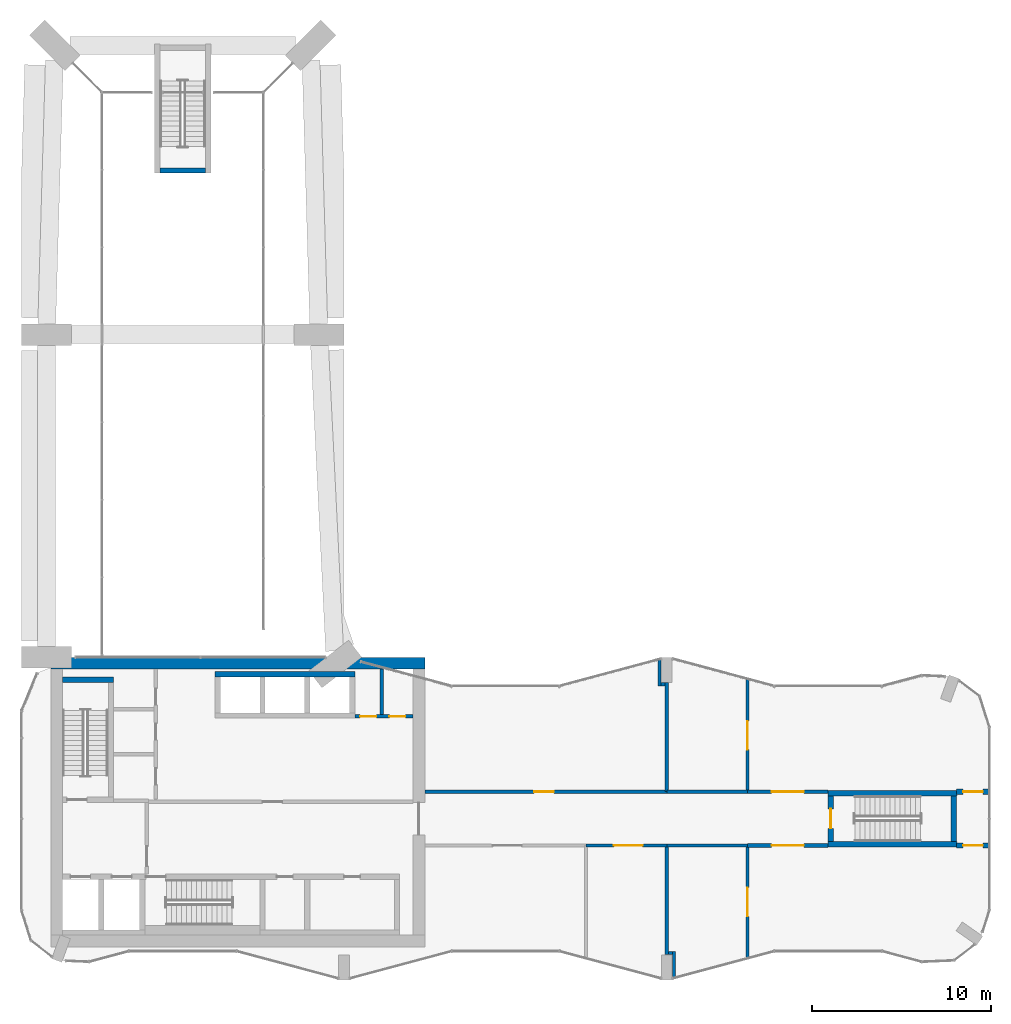
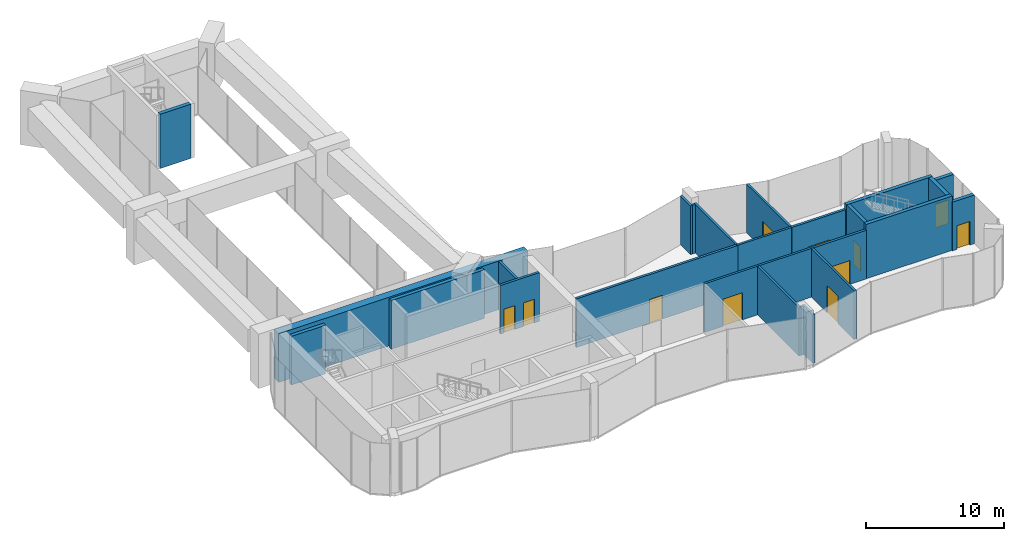
# One storey, part 10 of 13: 26 walls, 11 doors, 11 openings.
"""IFC4 building model written with IfcOpenShell, lengths in metres."""

from ifc_helpers import new_model, si_unit, direction, frame, frame_2d, origin, place, context, subcontext, project, spatial, rectangle, extrude, material, layer, layer_set, type_object, element, fill, save


model = new_model("IFC4")

# Units and contexts
model_context = context("Model", 3, precision=1e-05, world=origin(), true_north=direction((0.0, 1.0)))
body_context = subcontext(model_context, "Body", "Model", "MODEL_VIEW")
ifc_project = project(units=[si_unit("LENGTHUNIT", "METRE"), si_unit("AREAUNIT", "SQUARE_METRE"), si_unit("VOLUMEUNIT", "CUBIC_METRE"), si_unit("PLANEANGLEUNIT", "RADIAN"), si_unit("MASSUNIT", "GRAM", prefix="KILO")], contexts=[model_context])

# Site, building, storey
site_placement = place(None, origin())
site = spatial("IfcSite", under=ifc_project, at=site_placement, CompositionType="ELEMENT")
building_placement = place(site_placement, origin())
building = spatial("IfcBuilding", under=site, at=building_placement, Name="Plateau Cross Towers", CompositionType="ELEMENT")
storey_placement = place(building_placement, frame((0.0, 0.0, 134.60009765625)))
storey = spatial("IfcBuildingStorey", under=building, at=storey_placement, Name="L34", CompositionType="ELEMENT", Elevation=134.60009765625)

# Wall, opening, door
ifc_material_1 = material(Name="Concrete C60/75", Category="concrete")
ifc_layer_1 = layer(ifc_material_1, 0.300048828125)
ifc_layer_set_1 = layer_set([ifc_layer_1], Name="Concrete C60/75")
wall_type_1 = type_object("IfcWallType", Name="Bridge stub wall 300", PredefinedType="SHEAR", material=ifc_layer_set_1)
wall_1_placement = place(storey_placement, frame((52.14990234375, 7.5, 0.0), z_axis=(0.0, 0.0, 1.0), x_axis=(1.0, 0.0, 0.0)))
wall_1 = element("IfcWall", 1, at=wall_1_placement, inside=storey, type_object=wall_type_1, Name="A-end-E-bridge-S@L34", PredefinedType="SHEAR", context=body_context, shape_type="SweptSolid", body=[
    extrude(rectangle(XDim=1.85009765625, YDim=0.300048828125, at=frame_2d((0.925048828125, 0.0))), origin(), (0.0, 0.0, 1.0), 4.2998046875),
])
opening_1_placement = place(wall_1_placement, frame((0.375, 0.0, 0.0)))
opening_1 = element("IfcOpeningElement", 2, at=opening_1_placement, cuts=wall_1, Name="Opening 34-F1", PredefinedType="OPENING", context=body_context, shape_type="SweptSolid", body=[
    extrude(rectangle(XDim=1.10009765625, YDim=2.10009765625, at=frame_2d((0.550048828125, 1.050048828125))), frame((0.0, 0.159912109375, 0.0), z_axis=(0.0, -1.0, 0.0), x_axis=(1.0, 0.0, 0.0)), (0.0, 0.0, 1.0), 0.320068359375),
])
ifc_material_2 = material(Name="Steel, fire-resisting leaf", Category="steel")
door_type_1 = type_object("IfcDoorType", Name="Link lounge fire door 1100", OperationType="NOTDEFINED", PredefinedType="DOOR", material=ifc_material_2)
door_1_placement = place(opening_1_placement, origin())
door_1 = element("IfcDoor", 3, at=door_1_placement, inside=storey, type_object=door_type_1, Name="Door 34-F1", OperationType="SINGLE_SWING_LEFT", OverallHeight=2.10009765625, OverallWidth=1.10009765625, PredefinedType="DOOR", context=body_context, shape_type="SweptSolid", body=[
    extrude(rectangle(XDim=1.10009765625, YDim=2.10009765625, at=frame_2d((0.550048828125, 1.050048828125))), frame((0.0, 0.02490234375, 0.0), z_axis=(0.0, -1.0, 0.0), x_axis=(1.0, 0.0, 0.0)), (0.0, 0.0, 1.0), 0.050048828125),
])
fill(opening_1, door_1)

wall_2_placement = place(storey_placement, frame((52.14990234375, 10.5, 0.0), z_axis=(0.0, 0.0, 1.0), x_axis=(1.0, 0.0, 0.0)))
wall_2 = element("IfcWall", 4, at=wall_2_placement, inside=storey, type_object=wall_type_1, Name="A-end-E-bridge-N@L34", PredefinedType="SHEAR", context=body_context, shape_type="SweptSolid", body=[
    extrude(rectangle(XDim=1.85009765625, YDim=0.300048828125, at=frame_2d((0.925048828125, 0.0))), origin(), (0.0, 0.0, 1.0), 4.2998046875),
])
opening_2_placement = place(wall_2_placement, frame((0.375, 0.0, 0.0)))
opening_2 = element("IfcOpeningElement", 5, at=opening_2_placement, cuts=wall_2, Name="Opening 34-F2", PredefinedType="OPENING", context=body_context, shape_type="SweptSolid", body=[
    extrude(rectangle(XDim=1.10009765625, YDim=2.10009765625, at=frame_2d((0.550048828125, 1.050048828125))), frame((0.0, 0.159912109375, 0.0), z_axis=(0.0, -1.0, 0.0), x_axis=(1.0, 0.0, 0.0)), (0.0, 0.0, 1.0), 0.320068359375),
])
door_2_placement = place(opening_2_placement, origin())
door_2 = element("IfcDoor", 6, at=door_2_placement, inside=storey, type_object=door_type_1, Name="Door 34-F2", OperationType="SINGLE_SWING_LEFT", OverallHeight=2.10009765625, OverallWidth=1.10009765625, PredefinedType="DOOR", context=body_context, shape_type="SweptSolid", body=[
    extrude(rectangle(XDim=1.10009765625, YDim=2.10009765625, at=frame_2d((0.550048828125, 1.050048828125))), frame((0.0, 0.02490234375, 0.0), z_axis=(0.0, -1.0, 0.0), x_axis=(1.0, 0.0, 0.0)), (0.0, 0.0, 1.0), 0.050048828125),
])
fill(opening_2, door_2)

# Wall, openings, doors
ifc_material_3 = material(Name="Concrete block, plastered both sides", Category="concrete")
ifc_layer_2 = layer(ifc_material_3, 0.199951171875)
ifc_layer_set_2 = layer_set([ifc_layer_2], Name="Concrete block, plastered both sides")
wall_type_2 = type_object("IfcWallType", Name="Core partition 200", PredefinedType="PARTITIONING", material=ifc_layer_set_2)
wall_3_placement = place(storey_placement, frame((18.60009765625, 14.699951171875, 0.0), z_axis=(0.0, 0.0, 1.0), x_axis=(1.0, 0.0, 0.0)))
wall_3 = element("IfcWall", 7, at=wall_3_placement, inside=storey, type_object=wall_type_2, Name="Core partition", PredefinedType="PARTITIONING", context=body_context, shape_type="SweptSolid", body=[
    extrude(rectangle(XDim=3.25, YDim=0.199951171875, at=frame_2d((1.625, 0.0))), origin(), (0.0, 0.0, 1.0), 4.2998046875),
])
opening_3_placement = place(wall_3_placement, frame((0.300048828125, 0.0, 0.0)))
opening_3 = element("IfcOpeningElement", 8, at=opening_3_placement, cuts=wall_3, Name="Opening RD2", PredefinedType="OPENING", context=body_context, shape_type="SweptSolid", body=[
    extrude(rectangle(XDim=0.89990234375, YDim=2.10009765625, at=frame_2d((0.449951171875, 1.050048828125))), frame((0.0, 0.10986328125, 0.0), z_axis=(0.0, -1.0, 0.0), x_axis=(1.0, 0.0, 0.0)), (0.0, 0.0, 1.0), 0.219970703125),
])
opening_4_placement = place(wall_3_placement, frame((1.925048828125, 0.0, 0.0)))
opening_4 = element("IfcOpeningElement", 9, at=opening_4_placement, cuts=wall_3, Name="Opening RD2", PredefinedType="OPENING", context=body_context, shape_type="SweptSolid", body=[
    extrude(rectangle(XDim=0.89990234375, YDim=2.10009765625, at=frame_2d((0.449951171875, 1.050048828125))), frame((0.0, 0.10986328125, 0.0), z_axis=(0.0, -1.0, 0.0), x_axis=(1.0, 0.0, 0.0)), (0.0, 0.0, 1.0), 0.219970703125),
])
door_type_2 = type_object("IfcDoorType", Name="Core riser door 900", OperationType="NOTDEFINED", PredefinedType="DOOR", material=ifc_material_2)
door_3_placement = place(opening_3_placement, origin())
door_3 = element("IfcDoor", 10, at=door_3_placement, inside=storey, type_object=door_type_2, Name="Core riser door RD2", OperationType="SINGLE_SWING_LEFT", OverallHeight=2.10009765625, OverallWidth=0.89990234375, PredefinedType="DOOR", context=body_context, shape_type="SweptSolid", body=[
    extrude(rectangle(XDim=0.89990234375, YDim=2.10009765625, at=frame_2d((0.449951171875, 1.050048828125))), frame((0.0, 0.02490234375, 0.0), z_axis=(0.0, -1.0, 0.0), x_axis=(1.0, 0.0, 0.0)), (0.0, 0.0, 1.0), 0.050048828125),
])
fill(opening_3, door_3)
door_4_placement = place(opening_4_placement, origin())
door_4 = element("IfcDoor", 11, at=door_4_placement, inside=storey, type_object=door_type_2, Name="Core riser door RD2", OperationType="SINGLE_SWING_LEFT", OverallHeight=2.10009765625, OverallWidth=0.89990234375, PredefinedType="DOOR", context=body_context, shape_type="SweptSolid", body=[
    extrude(rectangle(XDim=0.89990234375, YDim=2.10009765625, at=frame_2d((0.449951171875, 1.050048828125))), frame((0.0, 0.02490234375, 0.0), z_axis=(0.0, -1.0, 0.0), x_axis=(1.0, 0.0, 0.0)), (0.0, 0.0, 1.0), 0.050048828125),
])
fill(opening_4, door_4)

# Walls
wall_4_placement = place(storey_placement, frame((20.10009765625, 14.800048828125, 0.0), z_axis=(0.0, 0.0, 1.0), x_axis=(0.0, 1.0, 0.0)))
element("IfcWall", 12, at=wall_4_placement, inside=storey, type_object=wall_type_2, Name="Core partition", PredefinedType="PARTITIONING", context=body_context, shape_type="SweptSolid", body=[
    extrude(rectangle(XDim=2.550048828125, YDim=0.199951171875, at=frame_2d((1.27490234375, 0.0))), origin(), (0.0, 0.0, 1.0), 4.2998046875),
])
ifc_layer_3 = layer(ifc_material_1, 0.300048828125)
ifc_layer_set_3 = layer_set([ifc_layer_3], Name="Concrete C60/75")
wall_type_3 = type_object("IfcWallType", Name="Core shaft wall 300", PredefinedType="SHEAR", material=ifc_layer_set_3)
wall_5_placement = place(storey_placement, frame((2.300048828125, 16.75, 0.0), z_axis=(0.0, 0.0, 1.0), x_axis=(1.0, 0.0, 0.0)))
element("IfcWall", 13, at=wall_5_placement, inside=storey, type_object=wall_type_3, Name="A-st1-N@L34", PredefinedType="SHEAR", context=body_context, shape_type="SweptSolid", body=[
    extrude(rectangle(XDim=2.849853515625, YDim=0.300048828125, at=frame_2d((1.4248046875, 0.0))), origin(), (0.0, 0.0, 1.0), 4.2998046875),
])
wall_6_placement = place(storey_placement, frame((10.800048828125, 17.050048828125, 0.0), z_axis=(0.0, 0.0, 1.0), x_axis=(1.0, 0.0, 0.0)))
element("IfcWall", 14, at=wall_6_placement, inside=storey, type_object=wall_type_3, Name="A-nb-back@L34", PredefinedType="SHEAR", context=body_context, shape_type="SweptSolid", body=[
    extrude(rectangle(XDim=7.800048828125, YDim=0.300048828125, at=frame_2d((3.89990234375, 0.0))), origin(), (0.0, 0.0, 1.0), 4.2998046875),
])
ifc_layer_4 = layer(ifc_material_1, 0.64990234375)
ifc_layer_set_4 = layer_set([ifc_layer_4], Name="Concrete C60/75")
wall_type_4 = type_object("IfcWallType", Name="Core shell wall 650", PredefinedType="SHEAR", material=ifc_layer_set_4)
wall_7_placement = place(storey_placement, frame((1.64990234375, 17.675048828125, 0.0), z_axis=(0.0, 0.0, 1.0), x_axis=(1.0, 0.0, 0.0)))
element("IfcWall", 15, at=wall_7_placement, inside=storey, type_object=wall_type_4, Name="A-core-N@L34", PredefinedType="SHEAR", context=body_context, shape_type="SweptSolid", body=[
    extrude(rectangle(XDim=20.85009765625, YDim=0.64990234375, at=frame_2d((10.425048828125, 0.0))), origin(), (0.0, 0.0, 1.0), 4.2998046875),
])
ifc_material_4 = material(Name="Dense masonry block, plastered, acoustic lining", Category="masonry")
ifc_layer_5 = layer(ifc_material_4, 0.179931640625)
ifc_layer_set_5 = layer_set([ifc_layer_5], Name="Dense masonry block, plastered, acoustic lining")
wall_type_5 = type_object("IfcWallType", Name="Plant room acoustic wall 180", PredefinedType="PARTITIONING", material=ifc_layer_set_5)
wall_8_placement = place(storey_placement, frame((36.0, 7.5, 0.0), z_axis=(0.0, 0.0, 1.0), x_axis=(0.0, -1.0, 0.0)))
element("IfcWall", 16, at=wall_8_placement, inside=storey, type_object=wall_type_5, Name="Partition wall", PredefinedType="PARTITIONING", context=body_context, shape_type="SweptSolid", body=[
    extrude(rectangle(XDim=6.090087890625, YDim=0.179931640625, at=frame_2d((3.044921875, 0.0))), origin(), (0.0, 0.0, 1.0), 4.2998046875),
])
wall_9_placement = place(storey_placement, frame((36.090087890625, 1.5, 0.0), z_axis=(0.0, 0.0, 1.0), x_axis=(1.0, 0.0, 0.0)))
element("IfcWall", 17, at=wall_9_placement, inside=storey, type_object=wall_type_5, Name="Partition wall", PredefinedType="PARTITIONING", context=body_context, shape_type="SweptSolid", body=[
    extrude(rectangle(XDim=0.219970703125, YDim=0.179931640625, at=frame_2d((0.10986328125, 0.0))), origin(), (0.0, 0.0, 1.0), 4.2998046875),
])
for number, where, z_axis, x_axis, name in (
    (18, (36.39990234375, 1.590087890625, 0.0), (0.0, 0.0, 1.0), (0.0, -1.0, 0.0), "Partition wall"),
    (19, (35.60009765625, 17.89306640625, 0.0), (0.0, 0.0, 1.0), (0.0, -1.0, 0.0), "Partition wall"),
):
    element("IfcWall", number, at=place(storey_placement, frame(where, z_axis=z_axis, x_axis=x_axis)), inside=storey, type_object=wall_type_5, Name=name, PredefinedType="PARTITIONING", context=body_context, shape_type="SweptSolid", body=[
        extrude(rectangle(XDim=1.483154296875, YDim=0.179931640625, at=frame_2d((0.74169921875, 0.0))), origin(), (0.0, 0.0, 1.0), 4.2998046875),
    ])
wall_10_placement = place(storey_placement, frame((35.68994140625, 16.5, 0.0), z_axis=(0.0, 0.0, 1.0), x_axis=(1.0, 0.0, 0.0)))
element("IfcWall", 20, at=wall_10_placement, inside=storey, type_object=wall_type_5, Name="Partition wall", PredefinedType="PARTITIONING", context=body_context, shape_type="SweptSolid", body=[
    extrude(rectangle(XDim=0.219970703125, YDim=0.179931640625, at=frame_2d((0.10986328125, 0.0))), origin(), (0.0, 0.0, 1.0), 4.2998046875),
])
wall_11_placement = place(storey_placement, frame((36.0, 16.590087890625, 0.0), z_axis=(0.0, 0.0, 1.0), x_axis=(0.0, -1.0, 0.0)))
element("IfcWall", 21, at=wall_11_placement, inside=storey, type_object=wall_type_5, Name="Partition wall", PredefinedType="PARTITIONING", context=body_context, shape_type="SweptSolid", body=[
    extrude(rectangle(XDim=6.090087890625, YDim=0.179931640625, at=frame_2d((3.044921875, 0.0))), origin(), (0.0, 0.0, 1.0), 4.2998046875),
])

# Wall, opening, door
wall_12_placement = place(storey_placement, frame((40.5, 7.5, 0.0), z_axis=(0.0, 0.0, 1.0), x_axis=(0.0, -1.0, 0.0)))
wall_12 = element("IfcWall", 22, at=wall_12_placement, inside=storey, type_object=wall_type_5, Name="Partition wall", PredefinedType="PARTITIONING", context=body_context, shape_type="SweptSolid", body=[
    extrude(rectangle(XDim=6.294921875, YDim=0.179931640625, at=frame_2d((3.1474609375, 0.0))), origin(), (0.0, 0.0, 1.0), 4.2998046875),
])
opening_5_placement = place(wall_12_placement, frame((2.35009765625, 0.0, 0.0)))
opening_5 = element("IfcOpeningElement", 23, at=opening_5_placement, cuts=wall_12, Name="Opening 34-03", PredefinedType="OPENING", context=body_context, shape_type="SweptSolid", body=[
    extrude(rectangle(XDim=1.60009765625, YDim=2.39990234375, at=frame_2d((0.800048828125, 1.199951171875))), frame((0.0, 0.099853515625, 0.0), z_axis=(0.0, -1.0, 0.0), x_axis=(1.0, 0.0, 0.0)), (0.0, 0.0, 1.0), 0.199951171875),
])
ifc_material_5 = material(Name="Steel, fire-resisting double leaf with louvre panel", Category="steel")
door_type_3 = type_object("IfcDoorType", Name="Plant room double door 1600x2400", OperationType="NOTDEFINED", PredefinedType="DOOR", material=ifc_material_5)
door_5_placement = place(opening_5_placement, origin())
door_5 = element("IfcDoor", 24, at=door_5_placement, inside=storey, type_object=door_type_3, Name="Door 34-03", OperationType="SINGLE_SWING_LEFT", OverallHeight=2.39990234375, OverallWidth=1.60009765625, PredefinedType="DOOR", context=body_context, shape_type="SweptSolid", body=[
    extrude(rectangle(XDim=1.60009765625, YDim=2.39990234375, at=frame_2d((0.800048828125, 1.199951171875))), frame((0.0, 0.02490234375, 0.0), z_axis=(0.0, -1.0, 0.0), x_axis=(1.0, 0.0, 0.0)), (0.0, 0.0, 1.0), 0.050048828125),
])
fill(opening_5, door_5)

wall_13_placement = place(storey_placement, frame((40.5, 16.794921875, 0.0), z_axis=(0.0, 0.0, 1.0), x_axis=(0.0, -1.0, 0.0)))
wall_13 = element("IfcWall", 25, at=wall_13_placement, inside=storey, type_object=wall_type_5, Name="Partition wall", PredefinedType="PARTITIONING", context=body_context, shape_type="SweptSolid", body=[
    extrude(rectangle(XDim=6.294921875, YDim=0.179931640625, at=frame_2d((3.1474609375, 0.0))), origin(), (0.0, 0.0, 1.0), 4.2998046875),
])
opening_6_placement = place(wall_13_placement, frame((2.35009765625, 0.0, 0.0)))
opening_6 = element("IfcOpeningElement", 26, at=opening_6_placement, cuts=wall_13, Name="Opening 34-05", PredefinedType="OPENING", context=body_context, shape_type="SweptSolid", body=[
    extrude(rectangle(XDim=1.60009765625, YDim=2.39990234375, at=frame_2d((0.800048828125, 1.199951171875))), frame((0.0, 0.099853515625, 0.0), z_axis=(0.0, -1.0, 0.0), x_axis=(1.0, 0.0, 0.0)), (0.0, 0.0, 1.0), 0.199951171875),
])
door_6_placement = place(opening_6_placement, origin())
door_6 = element("IfcDoor", 27, at=door_6_placement, inside=storey, type_object=door_type_3, Name="Door 34-05", OperationType="SINGLE_SWING_LEFT", OverallHeight=2.39990234375, OverallWidth=1.60009765625, PredefinedType="DOOR", context=body_context, shape_type="SweptSolid", body=[
    extrude(rectangle(XDim=1.60009765625, YDim=2.39990234375, at=frame_2d((0.800048828125, 1.199951171875))), frame((0.0, 0.02490234375, 0.0), z_axis=(0.0, -1.0, 0.0), x_axis=(1.0, 0.0, 0.0)), (0.0, 0.0, 1.0), 0.050048828125),
])
fill(opening_6, door_6)

# Walls
for number, where, z_axis, x_axis, name in (
    (28, (40.5, 7.5, 0.0), (0.0, 0.0, 1.0), (-1.0, 0.0, 0.0), "Partition wall"),
    (29, (36.0, 10.5, 0.0), (0.0, 0.0, 1.0), (1.0, 0.0, 0.0), "Partition wall"),
):
    element("IfcWall", number, at=place(storey_placement, frame(where, z_axis=z_axis, x_axis=x_axis)), inside=storey, type_object=wall_type_5, Name=name, PredefinedType="PARTITIONING", context=body_context, shape_type="SweptSolid", body=[
        extrude(rectangle(XDim=4.5, YDim=0.179931640625, at=frame_2d((2.25, 0.0))), origin(), (0.0, 0.0, 1.0), 4.2998046875),
    ])

# Wall, opening, door
wall_14_placement = place(storey_placement, frame((36.0, 7.5, 0.0), z_axis=(0.0, 0.0, 1.0), x_axis=(-1.0, 0.0, 0.0)))
wall_14 = element("IfcWall", 30, at=wall_14_placement, inside=storey, type_object=wall_type_5, Name="Partition wall", PredefinedType="PARTITIONING", context=body_context, shape_type="SweptSolid", body=[
    extrude(rectangle(XDim=4.5, YDim=0.179931640625, at=frame_2d((2.25, 0.0))), origin(), (0.0, 0.0, 1.0), 4.2998046875),
])
opening_7_placement = place(wall_14_placement, frame((1.35009765625, 0.0, 0.0)))
opening_7 = element("IfcOpeningElement", 31, at=opening_7_placement, cuts=wall_14, Name="Opening 34-02", PredefinedType="OPENING", context=body_context, shape_type="SweptSolid", body=[
    extrude(rectangle(XDim=1.60009765625, YDim=2.39990234375, at=frame_2d((0.800048828125, 1.199951171875))), frame((0.0, 0.099853515625, 0.0), z_axis=(0.0, -1.0, 0.0), x_axis=(1.0, 0.0, 0.0)), (0.0, 0.0, 1.0), 0.199951171875),
])
door_7_placement = place(opening_7_placement, origin())
door_7 = element("IfcDoor", 32, at=door_7_placement, inside=storey, type_object=door_type_3, Name="Door 34-02", OperationType="SINGLE_SWING_LEFT", OverallHeight=2.39990234375, OverallWidth=1.60009765625, PredefinedType="DOOR", context=body_context, shape_type="SweptSolid", body=[
    extrude(rectangle(XDim=1.60009765625, YDim=2.39990234375, at=frame_2d((0.800048828125, 1.199951171875))), frame((0.0, 0.02490234375, 0.0), z_axis=(0.0, -1.0, 0.0), x_axis=(1.0, 0.0, 0.0)), (0.0, 0.0, 1.0), 0.050048828125),
])
fill(opening_7, door_7)

ifc_material_6 = material(Name="Gypsum board on steel studs, two layers each side", Category="steel")
ifc_layer_6 = layer(ifc_material_6, 0.199951171875)
ifc_layer_set_6 = layer_set([ifc_layer_6], Name="Gypsum board on steel studs, two layers each side")
wall_type_6 = type_object("IfcWallType", Name="Podium compartment wall 200", PredefinedType="PARTITIONING", material=ifc_layer_set_6)
wall_15_placement = place(storey_placement, frame((22.5, 10.5, 0.0), z_axis=(0.0, 0.0, 1.0), x_axis=(1.0, 0.0, 0.0)))
wall_15 = element("IfcWall", 33, at=wall_15_placement, inside=storey, type_object=wall_type_6, Name="Partition wall", PredefinedType="PARTITIONING", context=body_context, shape_type="SweptSolid", body=[
    extrude(rectangle(XDim=13.5, YDim=0.199951171875, at=frame_2d((6.75, 0.0))), origin(), (0.0, 0.0, 1.0), 4.2998046875),
])
opening_8_placement = place(wall_15_placement, frame((6.10009765625, 0.0, 0.0)))
opening_8 = element("IfcOpeningElement", 34, at=opening_8_placement, cuts=wall_15, Name="Opening 34-04", PredefinedType="OPENING", context=body_context, shape_type="SweptSolid", body=[
    extrude(rectangle(XDim=1.10009765625, YDim=2.10009765625, at=frame_2d((0.550048828125, 1.050048828125))), frame((0.0, 0.10986328125, 0.0), z_axis=(0.0, -1.0, 0.0), x_axis=(1.0, 0.0, 0.0)), (0.0, 0.0, 1.0), 0.219970703125),
])
ifc_material_7 = material(Name="Timber, fire-resisting leaf", Category="wood")
door_type_4 = type_object("IfcDoorType", Name="Podium fire door 1100", OperationType="NOTDEFINED", PredefinedType="DOOR", material=ifc_material_7)
door_8_placement = place(opening_8_placement, origin())
door_8 = element("IfcDoor", 35, at=door_8_placement, inside=storey, type_object=door_type_4, Name="Door 34-04", OperationType="SINGLE_SWING_LEFT", OverallHeight=2.10009765625, OverallWidth=1.10009765625, PredefinedType="DOOR", context=body_context, shape_type="SweptSolid", body=[
    extrude(rectangle(XDim=1.10009765625, YDim=2.10009765625, at=frame_2d((0.550048828125, 1.050048828125))), frame((0.0, 0.02490234375, 0.0), z_axis=(0.0, -1.0, 0.0), x_axis=(1.0, 0.0, 0.0)), (0.0, 0.0, 1.0), 0.050048828125),
])
fill(opening_8, door_8)

ifc_material_8 = material(Name="Gypsum board on steel studs", Category="steel")
ifc_layer_7 = layer(ifc_material_8, 0.199951171875)
ifc_layer_set_7 = layer_set([ifc_layer_7], Name="Gypsum board on steel studs")
wall_type_7 = type_object("IfcWallType", Name="Podium partition 200", PredefinedType="PARTITIONING", material=ifc_layer_set_7)
wall_16_placement = place(storey_placement, frame((40.5, 10.5, 0.0), z_axis=(0.0, 0.0, 1.0), x_axis=(1.0, 0.0, 0.0)))
wall_16 = element("IfcWall", 36, at=wall_16_placement, inside=storey, type_object=wall_type_7, Name="Partition wall", PredefinedType="PARTITIONING", context=body_context, shape_type="SweptSolid", body=[
    extrude(rectangle(XDim=4.5, YDim=0.199951171875, at=frame_2d((2.25, 0.0))), origin(), (0.0, 0.0, 1.0), 4.2998046875),
])
opening_9_placement = place(wall_16_placement, frame((1.35009765625, 0.0, 0.0)))
opening_9 = element("IfcOpeningElement", 37, at=opening_9_placement, cuts=wall_16, Name="Opening 34-06", PredefinedType="OPENING", context=body_context, shape_type="SweptSolid", body=[
    extrude(rectangle(XDim=1.800048828125, YDim=2.10009765625, at=frame_2d((0.89990234375, 1.050048828125))), frame((0.0, 0.10986328125, 0.0), z_axis=(0.0, -1.0, 0.0), x_axis=(1.0, 0.0, 0.0)), (0.0, 0.0, 1.0), 0.219970703125),
])
ifc_material_9 = material(Name="Aluminium frame, toughened glass", Category="aluminium")
door_type_5 = type_object("IfcDoorType", Name="Podium door pair 1800", OperationType="NOTDEFINED", PredefinedType="DOOR", material=ifc_material_9)
door_9_placement = place(opening_9_placement, origin())
door_9 = element("IfcDoor", 38, at=door_9_placement, inside=storey, type_object=door_type_5, Name="Door 34-06", OperationType="DOUBLE_DOOR_SINGLE_SWING", OverallHeight=2.10009765625, OverallWidth=1.800048828125, PredefinedType="DOOR", context=body_context, shape_type="SweptSolid", body=[
    extrude(rectangle(XDim=1.800048828125, YDim=2.10009765625, at=frame_2d((0.89990234375, 1.050048828125))), frame((0.0, 0.02490234375, 0.0), z_axis=(0.0, -1.0, 0.0), x_axis=(1.0, 0.0, 0.0)), (0.0, 0.0, 1.0), 0.050048828125),
])
fill(opening_9, door_9)

wall_17_placement = place(storey_placement, frame((45.0, 7.5, 0.0), z_axis=(0.0, 0.0, 1.0), x_axis=(-1.0, 0.0, 0.0)))
wall_17 = element("IfcWall", 39, at=wall_17_placement, inside=storey, type_object=wall_type_7, Name="Partition wall", PredefinedType="PARTITIONING", context=body_context, shape_type="SweptSolid", body=[
    extrude(rectangle(XDim=4.5, YDim=0.199951171875, at=frame_2d((2.25, 0.0))), origin(), (0.0, 0.0, 1.0), 4.2998046875),
])
opening_10_placement = place(wall_17_placement, frame((1.35009765625, 0.0, 0.0)))
opening_10 = element("IfcOpeningElement", 40, at=opening_10_placement, cuts=wall_17, Name="Opening 34-07", PredefinedType="OPENING", context=body_context, shape_type="SweptSolid", body=[
    extrude(rectangle(XDim=1.800048828125, YDim=2.10009765625, at=frame_2d((0.89990234375, 1.050048828125))), frame((0.0, 0.10986328125, 0.0), z_axis=(0.0, -1.0, 0.0), x_axis=(1.0, 0.0, 0.0)), (0.0, 0.0, 1.0), 0.219970703125),
])
door_10_placement = place(opening_10_placement, origin())
door_10 = element("IfcDoor", 41, at=door_10_placement, inside=storey, type_object=door_type_5, Name="Door 34-07", OperationType="DOUBLE_DOOR_SINGLE_SWING", OverallHeight=2.10009765625, OverallWidth=1.800048828125, PredefinedType="DOOR", context=body_context, shape_type="SweptSolid", body=[
    extrude(rectangle(XDim=1.800048828125, YDim=2.10009765625, at=frame_2d((0.89990234375, 1.050048828125))), frame((0.0, 0.02490234375, 0.0), z_axis=(0.0, -1.0, 0.0), x_axis=(1.0, 0.0, 0.0)), (0.0, 0.0, 1.0), 0.050048828125),
])
fill(opening_10, door_10)

ifc_layer_8 = layer(ifc_material_1, 0.300048828125)
ifc_layer_set_8 = layer_set([ifc_layer_8], Name="Concrete C60/75")
wall_type_8 = type_object("IfcWallType", Name="Stair tower wall 300", PredefinedType="SHEAR", material=ifc_layer_set_8)
wall_18_placement = place(storey_placement, frame((45.14990234375, 7.72509765625, 0.0), z_axis=(0.0, 0.0, 1.0), x_axis=(0.0, 1.0, 0.0)))
wall_18 = element("IfcWall", 42, at=wall_18_placement, inside=storey, type_object=wall_type_8, Name="A-end-E-W@L34", PredefinedType="SHEAR", context=body_context, shape_type="SweptSolid", body=[
    extrude(rectangle(XDim=2.5498046875, YDim=0.300048828125, at=frame_2d((1.27490234375, 0.0))), origin(), (0.0, 0.0, 1.0), 4.7998046875),
])
opening_11_placement = place(wall_18_placement, frame((0.72509765625, 0.0, 0.0)))
opening_11 = element("IfcOpeningElement", 43, at=opening_11_placement, cuts=wall_18, Name="Opening SD", PredefinedType="OPENING", context=body_context, shape_type="SweptSolid", body=[
    extrude(rectangle(XDim=1.10009765625, YDim=2.10009765625, at=frame_2d((0.550048828125, 1.050048828125))), frame((0.0, 0.159912109375, 0.0), z_axis=(0.0, -1.0, 0.0), x_axis=(1.0, 0.0, 0.0)), (0.0, 0.0, 1.0), 0.320068359375),
])
door_type_6 = type_object("IfcDoorType", Name="Stair door 1100", OperationType="NOTDEFINED", PredefinedType="DOOR", material=ifc_material_2)
door_11_placement = place(opening_11_placement, origin())
door_11 = element("IfcDoor", 44, at=door_11_placement, inside=storey, type_object=door_type_6, Name="Stair door SD", OperationType="SINGLE_SWING_LEFT", OverallHeight=2.10009765625, OverallWidth=1.10009765625, PredefinedType="DOOR", context=body_context, shape_type="SweptSolid", body=[
    extrude(rectangle(XDim=1.10009765625, YDim=2.10009765625, at=frame_2d((0.550048828125, 1.050048828125))), frame((0.0, 0.02490234375, 0.0), z_axis=(0.0, -1.0, 0.0), x_axis=(1.0, 0.0, 0.0)), (0.0, 0.0, 1.0), 0.050048828125),
])
fill(opening_11, door_11)

# Walls
wall_19_placement = place(storey_placement, frame((52.0, 7.72509765625, 0.0), z_axis=(0.0, 0.0, 1.0), x_axis=(0.0, 1.0, 0.0)))
element("IfcWall", 45, at=wall_19_placement, inside=storey, type_object=wall_type_8, Name="A-end-E-E@L34", PredefinedType="SHEAR", context=body_context, shape_type="SweptSolid", body=[
    extrude(rectangle(XDim=2.5498046875, YDim=0.300048828125, at=frame_2d((1.27490234375, 0.0))), origin(), (0.0, 0.0, 1.0), 4.7998046875),
])
for number, where, z_axis, x_axis, name in (
    (46, (45.0, 7.574951171875, 0.0), (0.0, 0.0, 1.0), (1.0, 0.0, 0.0), "A-end-E-S@L34"),
    (47, (45.0, 10.425048828125, 0.0), (0.0, 0.0, 1.0), (1.0, 0.0, 0.0), "A-end-E-N@L34"),
):
    element("IfcWall", number, at=place(storey_placement, frame(where, z_axis=z_axis, x_axis=x_axis)), inside=storey, type_object=wall_type_8, Name=name, PredefinedType="SHEAR", context=body_context, shape_type="SweptSolid", body=[
        extrude(rectangle(XDim=7.199951171875, YDim=0.300048828125, at=frame_2d((3.60009765625, 0.0))), origin(), (0.0, 0.0, 1.0), 4.7998046875),
    ])
wall_20_placement = place(storey_placement, frame((7.72509765625, 45.14990234375, 0.0), z_axis=(0.0, 0.0, 1.0), x_axis=(1.0, 0.0, 0.0)))
element("IfcWall", 48, at=wall_20_placement, inside=storey, type_object=wall_type_8, Name="A-end-N-S@L34", PredefinedType="SHEAR", context=body_context, shape_type="SweptSolid", body=[
    extrude(rectangle(XDim=2.5498046875, YDim=0.300048828125, at=frame_2d((1.27490234375, 0.0))), origin(), (0.0, 0.0, 1.0), 4.7998046875),
])

save(model, "model.ifc")
